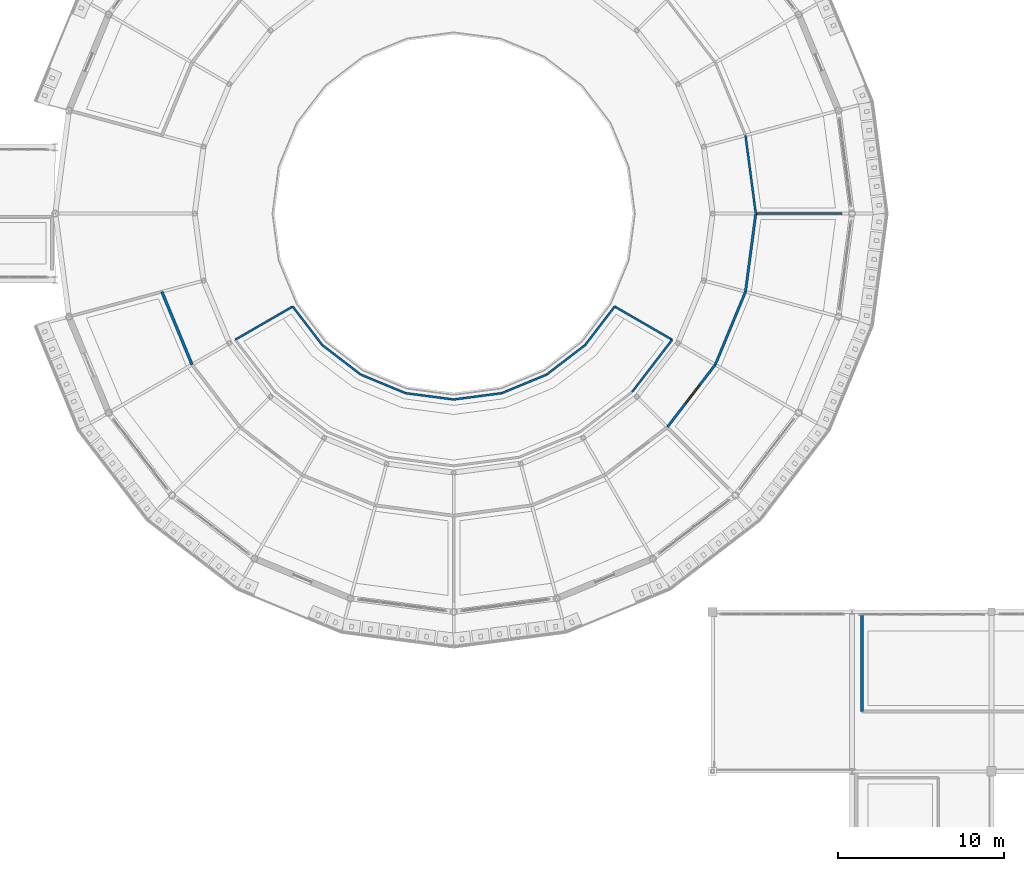
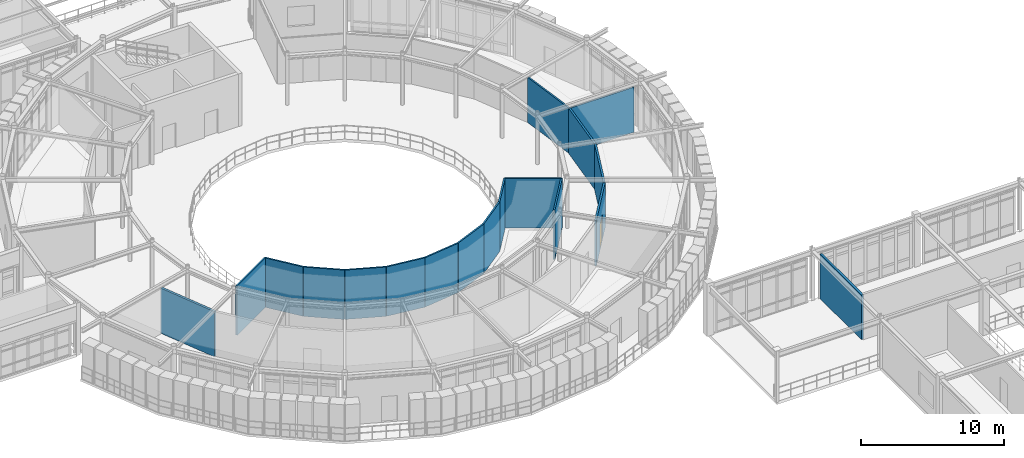
# One storey, part 87 of 106: 18 walls, 1 door, 1 opening.
"""IFC4 building model written with IfcOpenShell, lengths in metres."""

from ifc_helpers import new_model, si_unit, derived_unit, direction, frame, frame_2d, origin, place, context, subcontext, project, spatial, rectangle, extrude, material, layer, layer_set, type_object, element, fill, save


model = new_model("IFC4")

# Units and contexts
model_context = context("Model", 3, precision=1e-05, world=origin(), true_north=direction((0.0, 1.0)))
body_context = subcontext(model_context, "Body", "Model", "MODEL_VIEW")
ifc_project = project(units=[si_unit("LENGTHUNIT", "METRE"), si_unit("AREAUNIT", "SQUARE_METRE"), si_unit("VOLUMEUNIT", "CUBIC_METRE"), si_unit("PLANEANGLEUNIT", "RADIAN"), si_unit("MASSUNIT", "GRAM", prefix="KILO"), derived_unit("THERMALTRANSMITTANCEUNIT", [(si_unit("POWERUNIT", "WATT"), 1), (si_unit("AREAUNIT", "SQUARE_METRE"), -1), (si_unit("THERMODYNAMICTEMPERATUREUNIT", "KELVIN"), -1)])], contexts=[model_context])

# Site, building, storey
site_placement = place(None, origin())
site = spatial("IfcSite", under=ifc_project, at=site_placement, CompositionType="ELEMENT")
building_placement = place(site_placement, origin())
building = spatial("IfcBuilding", under=site, at=building_placement, Name="Yasenodar Specialist Clinic", CompositionType="ELEMENT")
storey_placement = place(building_placement, frame((0.0, 0.0, 4.5)))
storey = spatial("IfcBuildingStorey", under=building, at=storey_placement, Name="L01", CompositionType="ELEMENT", Elevation=4.5)

# Wall, opening, door
ifc_material_1 = material(Name="Outpatient Examination Partition")
ifc_layer_1 = layer(ifc_material_1, 0.14990234375)
ifc_layer_set_1 = layer_set([ifc_layer_1], Name="Outpatient Examination Partition")
wall_type_1 = type_object("IfcWallType", Name="IW-CONS-150", PredefinedType="PARTITIONING", material=ifc_layer_set_1)
wall_1_placement = place(storey_placement, frame((93.881591796875, 45.94677734375, 0.0), z_axis=(0.0, 0.0, 1.0), x_axis=(0.608790083792, 0.793331351881, 0.0)))
wall_1 = element("IfcWall", 1, at=wall_1_placement, inside=storey, type_object=wall_type_1, Name="L01 Oncology Specialist Consultation Suite Partition", PredefinedType="PARTITIONING", context=body_context, shape_type="SweptSolid", body=[
    extrude(rectangle(XDim=4.73095703125, YDim=0.14990234375, at=frame_2d((2.365478515625, 0.0))), origin(), (0.0, 0.0, 1.0), 3.867919921875),
])
opening_placement = place(wall_1_placement, frame((1.8154296875, 0.0, 0.0)))
opening = element("IfcOpeningElement", 2, at=opening_placement, cuts=wall_1, Name="Opening D-11", PredefinedType="OPENING", context=body_context, shape_type="SweptSolid", body=[
    extrude(rectangle(XDim=1.360107421875, YDim=2.199951171875, at=frame_2d((0.68017578125, 1.10009765625))), frame((0.0, 0.0849609375, 0.0), z_axis=(0.0, -1.0, 0.0), x_axis=(1.0, 0.0, 0.0)), (0.0, 0.0, 1.0), 0.169921875),
])
ifc_material_2 = material(Name="Powder-Coated Steel and Acoustic Laminate Leaf", Category="steel")
door_type = type_object("IfcDoorType", Name="DR-PLT-136", OperationType="NOTDEFINED", PredefinedType="DOOR", material=ifc_material_2)
door_placement = place(opening_placement, origin())
door = element("IfcDoor", 3, at=door_placement, inside=storey, type_object=door_type, Name="L01 Oncology Specialist Consultation Suite Door", OperationType="SINGLE_SWING_LEFT", OverallHeight=2.199951171875, OverallWidth=1.360107421875, PredefinedType="DOOR", context=body_context, shape_type="SweptSolid", body=[
    extrude(rectangle(XDim=1.360107421875, YDim=2.199951171875, at=frame_2d((0.68017578125, 1.10009765625))), frame((0.0, 0.02490234375, 0.0), z_axis=(0.0, -1.0, 0.0), x_axis=(1.0, 0.0, 0.0)), (0.0, 0.0, 1.0), 0.050048828125),
])
fill(opening, door)

# Walls
wall_2_placement = place(storey_placement, frame((96.76171875, 49.699951171875, 0.0), z_axis=(0.0, 0.0, 1.0), x_axis=(0.382658877568, 0.923889703059, 0.0)))
element("IfcWall", 4, at=wall_2_placement, inside=storey, type_object=wall_type_1, Name="L01 Oncology Specialist Consultation Suite Partition", PredefinedType="PARTITIONING", context=body_context, shape_type="SweptSolid", body=[
    extrude(rectangle(XDim=4.751220703125, YDim=0.14990234375, at=frame_2d((2.37548828125, 0.0))), origin(), (0.0, 0.0, 1.0), 3.867919921875),
])
wall_3_placement = place(storey_placement, frame((98.579833984375, 54.089599609375, 0.0), z_axis=(0.0, 0.0, 1.0), x_axis=(0.130561305543, 0.991440237985, 0.0)))
element("IfcWall", 5, at=wall_3_placement, inside=storey, type_object=wall_type_1, Name="L01 Oncology Specialist Consultation Suite Partition", PredefinedType="PARTITIONING", context=body_context, shape_type="SweptSolid", body=[
    extrude(rectangle(XDim=4.73095703125, YDim=0.14990234375, at=frame_2d((2.365478515625, 0.0))), origin(), (0.0, 0.0, 1.0), 3.867919921875),
])
ifc_material_3 = material(Name="Cleanroom Laboratory Partition")
ifc_layer_2 = layer(ifc_material_3, 0.169921875)
ifc_layer_set_2 = layer_set([ifc_layer_2], Name="Cleanroom Laboratory Partition")
wall_type_2 = type_object("IfcWallType", Name="IW-LAB-170", PredefinedType="PARTITIONING", material=ifc_layer_set_2)
wall_4_placement = place(storey_placement, frame((63.420166015625, 54.089599609375, 0.0), z_axis=(0.0, 0.0, 1.0), x_axis=(0.382658877568, -0.923889703059, 0.0)))
element("IfcWall", 6, at=wall_4_placement, inside=storey, type_object=wall_type_2, Name="L01 Hematology Day-Treatment Suite Partition", PredefinedType="PARTITIONING", context=body_context, shape_type="SweptSolid", body=[
    extrude(rectangle(XDim=4.751220703125, YDim=0.169921875, at=frame_2d((2.37548828125, 0.0))), origin(), (0.0, 0.0, 1.0), 3.867919921875),
])
wall_5_placement = place(storey_placement, frame((105.60009765625, 28.800048828125, 0.0), z_axis=(0.0, 0.0, 1.0), x_axis=(0.0, 1.0, 0.0)))
element("IfcWall", 7, at=wall_5_placement, inside=storey, type_object=wall_type_2, Name="L01 Speech and Swallowing Therapy Rooms Partition", PredefinedType="PARTITIONING", context=body_context, shape_type="SweptSolid", body=[
    extrude(rectangle(XDim=5.7900390625, YDim=0.169921875, at=frame_2d((2.89501953125, 0.0))), origin(), (0.0, 0.0, 1.0), 3.827880859375),
])
ifc_material_4 = material(Name="Clinical Sub-Division Partition")
ifc_layer_3 = layer(ifc_material_4, 0.125)
ifc_layer_set_3 = layer_set([ifc_layer_3], Name="Clinical Sub-Division Partition")
wall_type_3 = type_object("IfcWallType", Name="IW-PART-125", PredefinedType="PARTITIONING", material=ifc_layer_set_3)
wall_6_placement = place(storey_placement, frame((99.199951171875, 58.800048828125, 0.0), z_axis=(0.0, 0.0, 1.0), x_axis=(-0.130520975042, 0.991445548214, 0.0)))
element("IfcWall", 8, at=wall_6_placement, inside=storey, type_object=wall_type_3, Name="L01 Oncology Infusion Bay Suite North-East Partition", PredefinedType="PARTITIONING", context=body_context, shape_type="SweptSolid", body=[
    extrude(rectangle(XDim=4.7509765625, YDim=0.125, at=frame_2d((2.37548828125, 0.0))), origin(), (0.0, 0.0, 1.0), 3.867919921875),
])
wall_7_placement = place(storey_placement, frame((104.39990234375, 58.800048828125, 0.0), z_axis=(0.0, 0.0, 1.0), x_axis=(-1.0, 0.0, 0.0)))
element("IfcWall", 9, at=wall_7_placement, inside=storey, type_object=wall_type_3, Name="L01 Oncology Infusion Bay Suite North-East Partition", PredefinedType="PARTITIONING", context=body_context, shape_type="SweptSolid", body=[
    extrude(rectangle(XDim=5.199951171875, YDim=0.125, at=frame_2d((2.60009765625, 0.0))), origin(), (0.0, 0.0, 1.0), 3.867919921875),
])
wall_8_placement = place(storey_placement, frame((94.16357421875, 51.199951171875, 0.0), z_axis=(0.0, 0.0, 1.0), x_axis=(-0.608764752416, -0.79335079014, 0.0)))
element("IfcWall", 10, at=wall_8_placement, inside=storey, type_object=wall_type_3, Name="L01 Atrium Daylit Waiting Gallery Partition", PredefinedType="PARTITIONING", context=body_context, shape_type="SweptSolid", body=[
    extrude(rectangle(XDim=3.968017578125, YDim=0.125, at=frame_2d((1.98388671875, 0.0))), origin(), (0.0, 0.0, 1.0), 4.22998046875),
])
for number, where, z_axis, x_axis, name in (
    (11, (71.300537109375, 53.199951171875, 0.0), (0.0, 0.0, 1.0), (0.608741787222, -0.793368411578, 0.0), "L01 Atrium Daylit Waiting Gallery Partition"),
    (12, (73.080322265625, 50.88037109375, 0.0), (0.0, 0.0, 1.0), (0.793368411578, -0.608741787222, 0.0), "L01 Atrium Daylit Waiting Gallery Partition"),
    (13, (86.60009765625, 49.1005859375, 0.0), (0.0, 0.0, 1.0), (0.793368411578, 0.608741787222, 0.0), "L01 Atrium Daylit Waiting Gallery Partition"),
    (14, (88.919677734375, 50.88037109375, 0.0), (0.0, 0.0, 1.0), (0.608741787222, 0.793368411578, 0.0), "L01 Atrium Daylit Waiting Gallery Partition"),
):
    element("IfcWall", number, at=place(storey_placement, frame(where, z_axis=z_axis, x_axis=x_axis)), inside=storey, type_object=wall_type_3, Name=name, PredefinedType="PARTITIONING", context=body_context, shape_type="SweptSolid", body=[
        extrude(rectangle(XDim=2.923828125, YDim=0.125, at=frame_2d((1.4619140625, 0.0))), origin(), (0.0, 0.0, 1.0), 4.22998046875),
    ])
for number, where, z_axis, x_axis, name in (
    (15, (78.101318359375, 47.981689453125, 0.0), (0.0, 0.0, 1.0), (0.991446051142, -0.130517154715, 0.0), "L01 Atrium Daylit Waiting Gallery Partition"),
    (16, (81.0, 47.60009765625, 0.0), (0.0, 0.0, 1.0), (0.991446051142, 0.130517154715, 0.0), "L01 Atrium Daylit Waiting Gallery Partition"),
):
    element("IfcWall", number, at=place(storey_placement, frame(where, z_axis=z_axis, x_axis=x_axis)), inside=storey, type_object=wall_type_3, Name=name, PredefinedType="PARTITIONING", context=body_context, shape_type="SweptSolid", body=[
        extrude(rectangle(XDim=2.923583984375, YDim=0.125, at=frame_2d((1.4619140625, 0.0))), origin(), (0.0, 0.0, 1.0), 4.22998046875),
    ])
for number, where, z_axis, x_axis, name in (
    (17, (75.39990234375, 49.1005859375, 0.0), (0.0, 0.0, 1.0), (0.923887593382, -0.382663971122, 0.0), "L01 Atrium Daylit Waiting Gallery Partition"),
    (18, (83.898681640625, 47.981689453125, 0.0), (0.0, 0.0, 1.0), (0.923887593382, 0.382663971122, 0.0), "L01 Atrium Daylit Waiting Gallery Partition"),
):
    element("IfcWall", number, at=place(storey_placement, frame(where, z_axis=z_axis, x_axis=x_axis)), inside=storey, type_object=wall_type_3, Name=name, PredefinedType="PARTITIONING", context=body_context, shape_type="SweptSolid", body=[
        extrude(rectangle(XDim=2.924072265625, YDim=0.125, at=frame_2d((1.4619140625, 0.0))), origin(), (0.0, 0.0, 1.0), 4.22998046875),
    ])
for number, where, z_axis, x_axis, name in (
    (19, (90.699462890625, 53.199951171875, 0.0), (0.0, 0.0, 1.0), (0.866026010844, -0.49999894854, 0.0), "L01 Atrium Daylit Waiting Gallery Partition"),
    (20, (67.83642578125, 51.199951171875, 0.0), (0.0, 0.0, 1.0), (0.866026010844, 0.49999894854, 0.0), "L01 Atrium Daylit Waiting Gallery Partition"),
):
    element("IfcWall", number, at=place(storey_placement, frame(where, z_axis=z_axis, x_axis=x_axis)), inside=storey, type_object=wall_type_3, Name=name, PredefinedType="PARTITIONING", context=body_context, shape_type="SweptSolid", body=[
        extrude(rectangle(XDim=4.0, YDim=0.125, at=frame_2d((2.0, 0.0))), origin(), (0.0, 0.0, 1.0), 4.22998046875),
    ])

save(model, "model.ifc")
